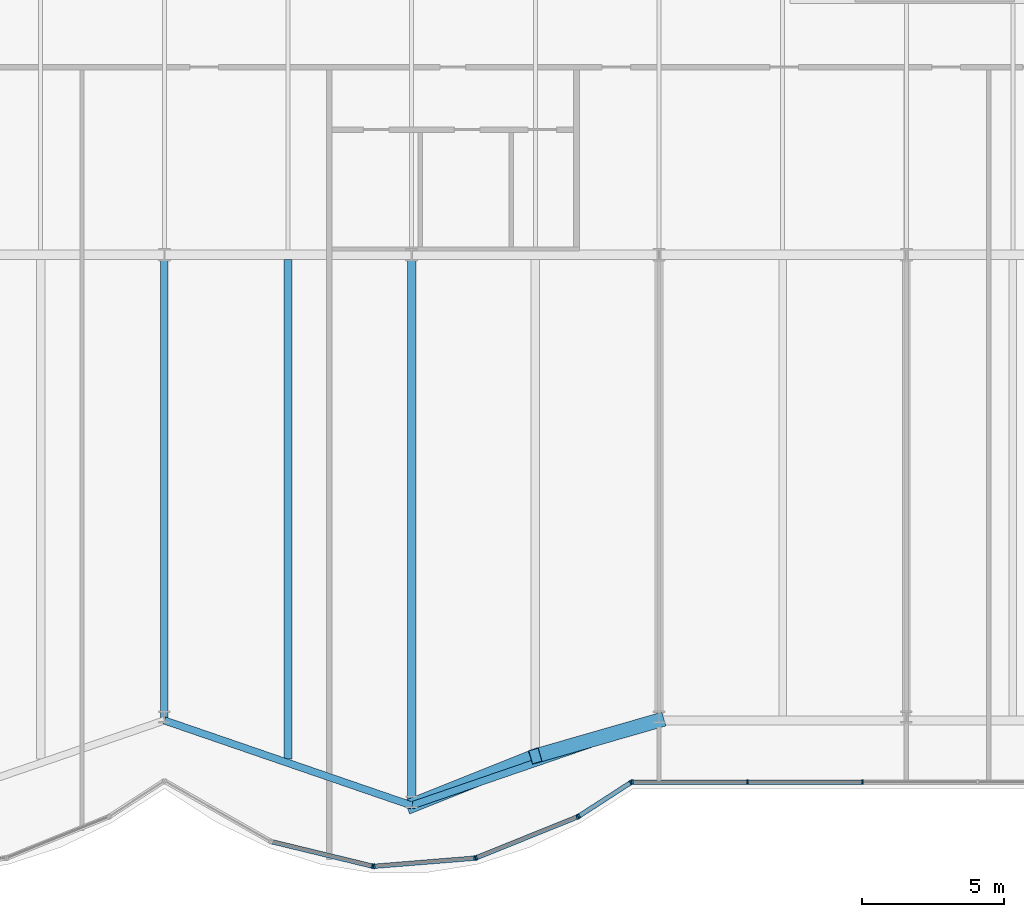
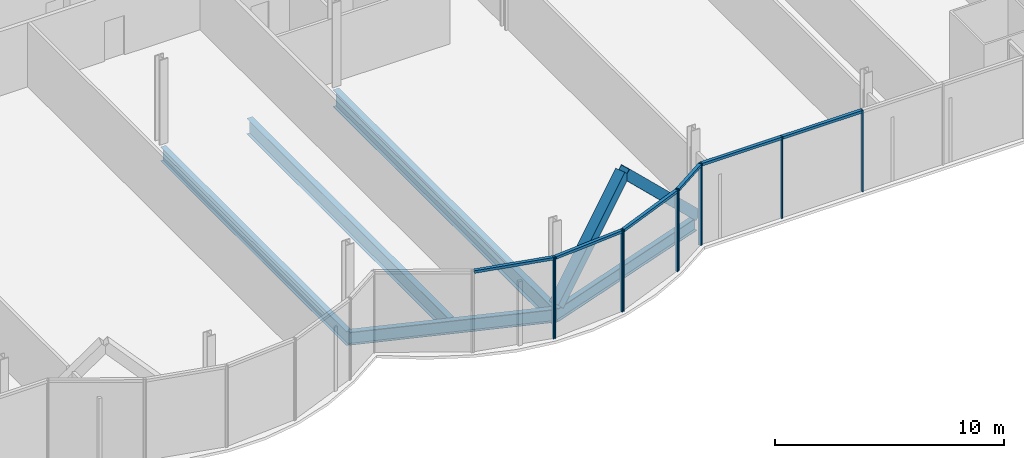
# One storey, part 8 of 21: 18 members, 5 beams, 2 elements without a shape of their own.
"""IFC4 building model written with IfcOpenShell, lengths in metres."""

from ifc_helpers import new_model, si_unit, direction, frame, origin, origin_2d, place, context, subcontext, project, spatial, rectangle, hollow_rectangle, i_section, extrude, material, material_profile, profile_set, type_object, element, aggregate, save


model = new_model("IFC4")

# Units and contexts
model_context = context("Model", 3, precision=1e-05, world=origin(), true_north=direction((0.0, 1.0)))
body_context = subcontext(model_context, "Body", "Model", "MODEL_VIEW")
ifc_project = project(units=[si_unit("LENGTHUNIT", "METRE"), si_unit("AREAUNIT", "SQUARE_METRE"), si_unit("VOLUMEUNIT", "CUBIC_METRE"), si_unit("PLANEANGLEUNIT", "RADIAN"), si_unit("MASSUNIT", "GRAM", prefix="KILO")], contexts=[model_context])

# Site, building, storey
site_placement = place(None, origin())
site = spatial("IfcSite", under=ifc_project, at=site_placement, CompositionType="ELEMENT")
building_placement = place(site_placement, origin())
building = spatial("IfcBuilding", under=site, at=building_placement, Name="Bicima Exchange Tower", CompositionType="ELEMENT")
storey_placement = place(building_placement, frame((0.0, 0.0, 57.5)))
storey = spatial("IfcBuildingStorey", under=building, at=storey_placement, Name="L11", CompositionType="ELEMENT", Elevation=57.5)

# Beams
ifc_material_1 = material(Name="Steel ASTM A992 Gr 50", Category="steel")
ifc_material_profile_1 = material_profile(ifc_material_1, i_section(OverallWidth=0.2666015625, OverallDepth=0.75439453125, WebThickness=0.01318359375, FlangeThickness=0.01708984375, at=origin_2d()))
ifc_profile_set_1 = profile_set([ifc_material_profile_1], Name="Steel ASTM A992 Gr 50")
beam_type_1 = type_object("IfcBeamType", Name="Floor beam W30x99", PredefinedType="JOIST", material=ifc_profile_set_1)
beam_1_placement = place(storey_placement, frame((0.0, -22.16259765625, -0.527099609375), z_axis=(0.0, -1.0, 0.0), x_axis=(1.0, 0.0, 0.0)))
element("IfcBeam", 1, at=beam_1_placement, inside=storey, type_object=beam_type_1, Name="Floor beam", PredefinedType="JOIST", context=body_context, shape_type="SweptSolid", body=[
    extrude(i_section(OverallWidth=0.2666015625, OverallDepth=0.75439453125, WebThickness=0.01318359375, FlangeThickness=0.01708984375, at=origin_2d()), origin(), (0.0, 0.0, 1.0), 16.21728515625),
])
ifc_material_profile_2 = material_profile(ifc_material_1, i_section(OverallWidth=0.2919921875, OverallDepth=0.835693359375, WebThickness=0.013916015625, FlangeThickness=0.018798828125, at=origin_2d()))
ifc_profile_set_2 = profile_set([ifc_material_profile_2], Name="Steel ASTM A992 Gr 50")
beam_type_2 = type_object("IfcBeamType", Name="Floor beam W33x118", PredefinedType="JOIST", material=ifc_profile_set_2)
beam_2_placement = place(storey_placement, frame((4.35009765625, -22.16259765625, -0.56787109375), z_axis=(0.0, -1.0, 0.0), x_axis=(1.0, 0.0, 0.0)))
element("IfcBeam", 2, at=beam_2_placement, inside=storey, type_object=beam_type_2, Name="Floor beam", PredefinedType="JOIST", context=body_context, shape_type="SweptSolid", body=[
    extrude(i_section(OverallWidth=0.2919921875, OverallDepth=0.835693359375, WebThickness=0.013916015625, FlangeThickness=0.018798828125, at=origin_2d()), origin(), (0.0, 0.0, 1.0), 17.577392578125),
])
ifc_material_profile_3 = material_profile(ifc_material_1, i_section(OverallWidth=0.3046875, OverallDepth=0.904296875, WebThickness=0.01513671875, FlangeThickness=0.02001953125, at=origin_2d()))
ifc_profile_set_3 = profile_set([ifc_material_profile_3], Name="Steel ASTM A992 Gr 50")
beam_type_3 = type_object("IfcBeamType", Name="Floor beam W36x135", PredefinedType="JOIST", material=ifc_profile_set_3)
beam_3_placement = place(storey_placement, frame((8.699951171875, -22.16259765625, -0.60205078125), z_axis=(0.0, -1.0, 0.0), x_axis=(1.0, 0.0, 0.0)))
element("IfcBeam", 3, at=beam_3_placement, inside=storey, type_object=beam_type_3, Name="Floor beam", PredefinedType="JOIST", context=body_context, shape_type="SweptSolid", body=[
    extrude(i_section(OverallWidth=0.3046875, OverallDepth=0.904296875, WebThickness=0.01513671875, FlangeThickness=0.02001953125, at=origin_2d()), origin(), (0.0, 0.0, 1.0), 19.07275390625),
])
ifc_material_profile_4 = material_profile(ifc_material_1, i_section(OverallWidth=0.256591796875, OverallDepth=0.693359375, WebThickness=0.014404296875, FlangeThickness=0.023681640625, at=origin_2d()))
ifc_profile_set_4 = profile_set([ifc_material_profile_4], Name="Steel ASTM A992 Gr 50")
beam_type_4 = type_object("IfcBeamType", Name="Front girder W27x114", PredefinedType="BEAM", material=ifc_profile_set_4)
for number, where, z_axis, x_axis, name in (
    (4, (0.0, -38.3798828125, -0.49658203125), (0.945666456746, -0.325138359143, 0.0), (0.325138359143, 0.945666456746, 0.0), "Front girder"),
    (5, (8.699951171875, -41.37109375, -0.49658203125), (0.945666456746, 0.325138359143, 0.0), (-0.325138359143, 0.945666456746, 0.0), "Front girder"),
):
    element("IfcBeam", number, at=place(storey_placement, frame(where, z_axis=z_axis, x_axis=x_axis)), inside=storey, type_object=beam_type_4, Name=name, PredefinedType="BEAM", context=body_context, shape_type="SweptSolid", body=[
        extrude(i_section(OverallWidth=0.256591796875, OverallDepth=0.693359375, WebThickness=0.014404296875, FlangeThickness=0.023681640625, at=origin_2d()), origin(), (0.0, 0.0, 1.0), 9.19970703125),
    ])

# Curtain wall, members
ifc_material_2 = material(Name="Anodised bronze aluminium", Category="aluminium")
curtain_wall_type = type_object("IfcCurtainWallType", Name="Front glass wall", PredefinedType="NOTDEFINED", material=ifc_material_2)
curtain_wall_1_placement = place(storey_placement, origin())
curtain_wall_1 = element("IfcCurtainWall", 6, at=curtain_wall_1_placement, inside=storey, type_object=curtain_wall_type, Name="Front glass wall L11 run 11", PredefinedType="NOTDEFINED")
ifc_material_profile_5 = material_profile(ifc_material_2, rectangle(XDim=0.159912109375, YDim=0.06005859375, at=origin_2d()))
ifc_profile_set_5 = profile_set([ifc_material_profile_5], Name="Anodised bronze aluminium")
member_type_1 = type_object("IfcMemberType", Name="Front glass wall mullion 60 x 160", PredefinedType="MULLION", material=ifc_profile_set_5)
member_1_placement = place(storey_placement, frame((7.322509765625, -43.505859375, 0.0), z_axis=(0.0, 0.0, 1.0), x_axis=(0.235681529503, 0.971830343553, 0.0)))
member_1 = element("IfcMember", 7, at=member_1_placement, type_object=member_type_1, Name="Front glass wall mullion 2", PredefinedType="MULLION", context=body_context, shape_type="SweptSolid", body=[
    extrude(rectangle(XDim=0.159912109375, YDim=0.06005859375, at=origin_2d()), origin(), (0.0, 0.0, 1.0), 4.35009765625),
])
member_2_placement = place(storey_placement, frame((7.381591796875, -43.510498046875, 0.0), z_axis=(0.0, 0.0, 1.0), x_axis=(-0.080588612633, 0.99674744821, 0.0)))
member_2 = element("IfcMember", 8, at=member_2_placement, type_object=member_type_1, Name="Front glass wall mullion 1", PredefinedType="MULLION", context=body_context, shape_type="SweptSolid", body=[
    extrude(rectangle(XDim=0.159912109375, YDim=0.06005859375, at=origin_2d()), origin(), (0.0, 0.0, 1.0), 4.35009765625),
])
member_3_placement = place(storey_placement, frame((10.916015625, -43.224853515625, 0.0), z_axis=(0.0, 0.0, 1.0), x_axis=(-0.080588612633, 0.99674744821, 0.0)))
member_3 = element("IfcMember", 9, at=member_3_placement, type_object=member_type_1, Name="Front glass wall mullion 2", PredefinedType="MULLION", context=body_context, shape_type="SweptSolid", body=[
    extrude(rectangle(XDim=0.159912109375, YDim=0.06005859375, at=origin_2d()), origin(), (0.0, 0.0, 1.0), 4.35009765625),
])
member_4_placement = place(storey_placement, frame((10.973876953125, -43.211181640625, 0.0), z_axis=(0.0, 0.0, 1.0), x_axis=(-0.374705304, 0.92714396679, 0.0)))
member_4 = element("IfcMember", 10, at=member_4_placement, type_object=member_type_1, Name="Front glass wall mullion 1", PredefinedType="MULLION", context=body_context, shape_type="SweptSolid", body=[
    extrude(rectangle(XDim=0.159912109375, YDim=0.06005859375, at=origin_2d()), origin(), (0.0, 0.0, 1.0), 4.35009765625),
])
member_5_placement = place(storey_placement, frame((14.52587890625, -41.775634765625, 0.0), z_axis=(0.0, 0.0, 1.0), x_axis=(-0.374705304, 0.92714396679, 0.0)))
member_5 = element("IfcMember", 11, at=member_5_placement, type_object=member_type_1, Name="Front glass wall mullion 2", PredefinedType="MULLION", context=body_context, shape_type="SweptSolid", body=[
    extrude(rectangle(XDim=0.159912109375, YDim=0.06005859375, at=origin_2d()), origin(), (0.0, 0.0, 1.0), 4.35009765625),
])
member_6_placement = place(storey_placement, frame((14.578857421875, -41.748046875, 0.0), z_axis=(0.0, 0.0, 1.0), x_axis=(-0.542909183079, 0.839791413941, 0.0)))
member_6 = element("IfcMember", 12, at=member_6_placement, type_object=member_type_1, Name="Front glass wall mullion 1", PredefinedType="MULLION", context=body_context, shape_type="SweptSolid", body=[
    extrude(rectangle(XDim=0.159912109375, YDim=0.06005859375, at=origin_2d()), origin(), (0.0, 0.0, 1.0), 4.35009765625),
])
member_7_placement = place(storey_placement, frame((16.406982421875, -40.56640625, 0.0), z_axis=(0.0, 0.0, 1.0), x_axis=(-0.542909183079, 0.839791413941, 0.0)))
member_7 = element("IfcMember", 13, at=member_7_placement, type_object=member_type_1, Name="Front glass wall mullion 2", PredefinedType="MULLION", context=body_context, shape_type="SweptSolid", body=[
    extrude(rectangle(XDim=0.159912109375, YDim=0.06005859375, at=origin_2d()), origin(), (0.0, 0.0, 1.0), 4.35009765625),
])

curtain_wall_2_placement = place(storey_placement, origin())
curtain_wall_2 = element("IfcCurtainWall", 14, at=curtain_wall_2_placement, inside=storey, type_object=curtain_wall_type, Name="Front glass wall L11 run 16", PredefinedType="NOTDEFINED")
member_8_placement = place(storey_placement, frame((16.462158203125, -40.550048828125, 0.0), z_axis=(0.0, 0.0, 1.0), x_axis=(0.0, 1.0, 0.0)))
member_8 = element("IfcMember", 15, at=member_8_placement, type_object=member_type_1, Name="Front glass wall mullion 1", PredefinedType="MULLION", context=body_context, shape_type="SweptSolid", body=[
    extrude(rectangle(XDim=0.159912109375, YDim=0.06005859375, at=origin_2d()), origin(), (0.0, 0.0, 1.0), 4.35009765625),
])
member_9_placement = place(storey_placement, frame((20.51171875, -40.550048828125, 0.0), z_axis=(0.0, 0.0, 1.0), x_axis=(0.0, 1.0, 0.0)))
member_9 = element("IfcMember", 16, at=member_9_placement, type_object=member_type_1, Name="Front glass wall mullion 2", PredefinedType="MULLION", context=body_context, shape_type="SweptSolid", body=[
    extrude(rectangle(XDim=0.159912109375, YDim=0.06005859375, at=origin_2d()), origin(), (0.0, 0.0, 1.0), 4.35009765625),
])
member_10_placement = place(storey_placement, frame((24.56103515625, -40.550048828125, 0.0), z_axis=(0.0, 0.0, 1.0), x_axis=(0.0, 1.0, 0.0)))
member_10 = element("IfcMember", 17, at=member_10_placement, type_object=member_type_1, Name="Front glass wall mullion 3", PredefinedType="MULLION", context=body_context, shape_type="SweptSolid", body=[
    extrude(rectangle(XDim=0.159912109375, YDim=0.06005859375, at=origin_2d()), origin(), (0.0, 0.0, 1.0), 4.35009765625),
])

# Member
ifc_material_profile_6 = material_profile(ifc_material_2, rectangle(XDim=0.159912109375, YDim=0.139892578125, at=origin_2d()))
ifc_profile_set_6 = profile_set([ifc_material_profile_6], Name="Anodised bronze aluminium")
member_type_2 = type_object("IfcMemberType", Name="Front glass wall transom 140 x 160", PredefinedType="USERDEFINED", material=ifc_profile_set_6)
member_11_placement = place(storey_placement, frame((3.81103515625, -42.654296875, 4.280029296875), z_axis=(0.971833557815, -0.235668275132, 0.0), x_axis=(0.235668275132, 0.971833557815, 0.0)))
member_11 = element("IfcMember", 18, at=member_11_placement, type_object=member_type_2, Name="Front glass wall transom 1.1", ObjectType="TRANSOM", PredefinedType="USERDEFINED", context=body_context, shape_type="SweptSolid", body=[
    extrude(rectangle(XDim=0.159912109375, YDim=0.139892578125, at=origin_2d()), origin(), (0.0, 0.0, 1.0), 3.583251953125),
])

member_12_placement = place(storey_placement, frame((7.41162109375, -43.50830078125, 4.280029296875), z_axis=(0.9967456465, 0.080610893699, 0.0), x_axis=(-0.080610893699, 0.9967456465, 0.0)))
member_12 = element("IfcMember", 19, at=member_12_placement, type_object=member_type_2, Name="Front glass wall transom 1.1", ObjectType="TRANSOM", PredefinedType="USERDEFINED", context=body_context, shape_type="SweptSolid", body=[
    extrude(rectangle(XDim=0.159912109375, YDim=0.139892578125, at=origin_2d()), origin(), (0.0, 0.0, 1.0), 3.48583984375),
])

member_13_placement = place(storey_placement, frame((11.001708984375, -43.199951171875, 4.280029296875), z_axis=(0.927140215882, 0.374714584842, 0.0), x_axis=(-0.374714584842, 0.927140215882, 0.0)))
member_13 = element("IfcMember", 20, at=member_13_placement, type_object=member_type_2, Name="Front glass wall transom 1.1", ObjectType="TRANSOM", PredefinedType="USERDEFINED", context=body_context, shape_type="SweptSolid", body=[
    extrude(rectangle(XDim=0.159912109375, YDim=0.139892578125, at=origin_2d()), origin(), (0.0, 0.0, 1.0), 3.77099609375),
])

member_14_placement = place(storey_placement, frame((14.60400390625, -41.731689453125, 4.280029296875), z_axis=(0.839792890287, 0.542906899407, 0.0), x_axis=(-0.542906899407, 0.839792890287, 0.0)))
member_14 = element("IfcMember", 21, at=member_14_placement, type_object=member_type_2, Name="Front glass wall transom 1.1", ObjectType="TRANSOM", PredefinedType="USERDEFINED", context=body_context, shape_type="SweptSolid", body=[
    extrude(rectangle(XDim=0.159912109375, YDim=0.139892578125, at=origin_2d()), origin(), (0.0, 0.0, 1.0), 2.11669921875),
])

aggregate(curtain_wall_1, [member_1, member_11, member_2, member_3, member_12, member_4, member_5, member_13, member_6, member_7, member_14])

member_15_placement = place(storey_placement, frame((16.4921875, -40.550048828125, 4.280029296875), z_axis=(1.0, 0.0, 0.0), x_axis=(0.0, 1.0, 0.0)))
member_15 = element("IfcMember", 22, at=member_15_placement, type_object=member_type_2, Name="Front glass wall transom 1.1", ObjectType="TRANSOM", PredefinedType="USERDEFINED", context=body_context, shape_type="SweptSolid", body=[
    extrude(rectangle(XDim=0.159912109375, YDim=0.139892578125, at=origin_2d()), origin(), (0.0, 0.0, 1.0), 3.989501953125),
])

member_16_placement = place(storey_placement, frame((20.54150390625, -40.550048828125, 4.280029296875), z_axis=(1.0, 0.0, 0.0), x_axis=(0.0, 1.0, 0.0)))
member_16 = element("IfcMember", 23, at=member_16_placement, type_object=member_type_2, Name="Front glass wall transom 2.1", ObjectType="TRANSOM", PredefinedType="USERDEFINED", context=body_context, shape_type="SweptSolid", body=[
    extrude(rectangle(XDim=0.159912109375, YDim=0.139892578125, at=origin_2d()), origin(), (0.0, 0.0, 1.0), 3.989501953125),
])

aggregate(curtain_wall_2, [member_8, member_9, member_10, member_15, member_16])

# Members
ifc_material_3 = material(Name="Steel ASTM A572 Gr 50", Category="steel")
ifc_material_profile_7 = material_profile(ifc_material_3, hollow_rectangle(XDim=0.508056640625, YDim=0.508056640625, WallThickness=0.017822265625, at=origin_2d()))
ifc_profile_set_7 = profile_set([ifc_material_profile_7], Name="Steel ASTM A572 Gr 50")
member_type_3 = type_object("IfcMemberType", Name="Mega brace HSS20x20x3/4", PredefinedType="BRACE", material=ifc_profile_set_7)
member_17_placement = place(storey_placement, frame((8.699951171875, -41.37109375, 0.0), z_axis=(0.669648363719, 0.26777666357, 0.692724135148), x_axis=(-0.371291842786, 0.928516218211, 0.0)))
element("IfcMember", 24, at=member_17_placement, inside=storey, type_object=member_type_3, Name="Mega brace front", PredefinedType="BRACE", context=body_context, shape_type="SweptSolid", body=[
    extrude(hollow_rectangle(XDim=0.508056640625, YDim=0.508056640625, WallThickness=0.017822265625, at=origin_2d()), origin(), (0.0, 0.0, 1.0), 6.49609375),
])
member_18_placement = place(storey_placement, frame((17.39990234375, -38.3798828125, 0.0), z_axis=(-0.681513989142, -0.19611170356, 0.705038213384), x_axis=(0.276537209588, -0.961003211084, 0.0)))
element("IfcMember", 25, at=member_18_placement, inside=storey, type_object=member_type_3, Name="Mega brace front", PredefinedType="BRACE", context=body_context, shape_type="SweptSolid", body=[
    extrude(hollow_rectangle(XDim=0.508056640625, YDim=0.508056640625, WallThickness=0.017822265625, at=origin_2d()), origin(), (0.0, 0.0, 1.0), 6.382568359375),
])

save(model, "model.ifc")
